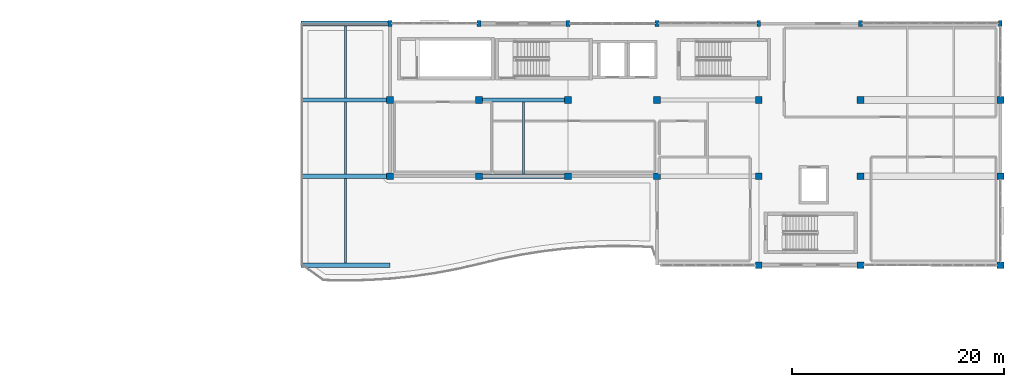
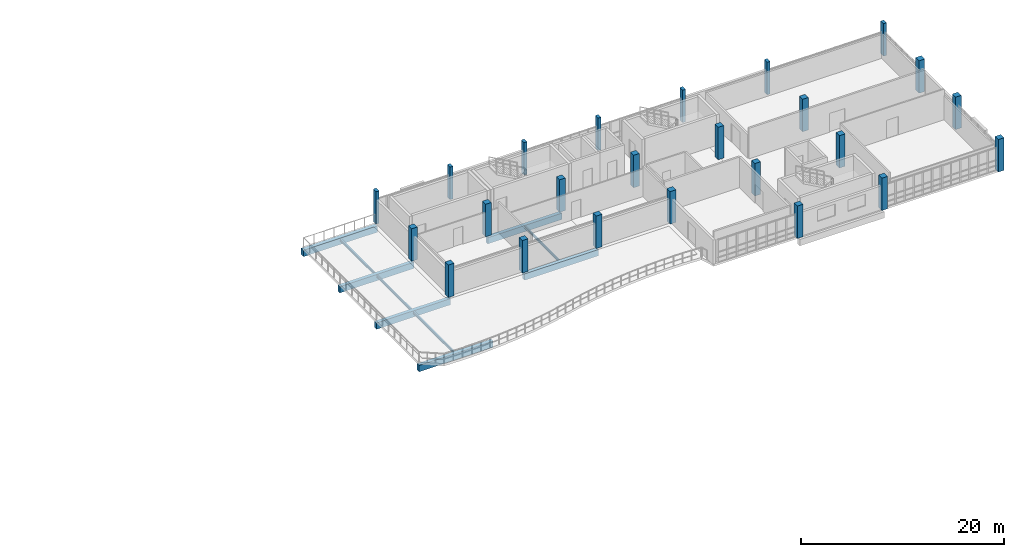
# One storey, part 1 of 25: 24 columns, 10 beams.
"""IFC4 building model written with IfcOpenShell, lengths in metres."""

from ifc_helpers import new_model, si_unit, direction, frame, origin, origin_2d, place, context, subcontext, project, spatial, rectangle, i_section, extrude, material, material_profile, profile_set, type_object, element, save


model = new_model("IFC4")

# Units and contexts
model_context = context("Model", 3, precision=1e-05, world=origin(), true_north=direction((0.0, 1.0)))
body_context = subcontext(model_context, "Body", "Model", "MODEL_VIEW")
ifc_project = project(units=[si_unit("LENGTHUNIT", "METRE"), si_unit("AREAUNIT", "SQUARE_METRE"), si_unit("VOLUMEUNIT", "CUBIC_METRE"), si_unit("PLANEANGLEUNIT", "RADIAN"), si_unit("MASSUNIT", "GRAM", prefix="KILO")], contexts=[model_context])

# Site, building, storey
site_placement = place(None, origin())
site = spatial("IfcSite", under=ifc_project, at=site_placement, CompositionType="ELEMENT")
building_placement = place(site_placement, origin())
building = spatial("IfcBuilding", under=site, at=building_placement, Name="Kisaragi Civic Commons", CompositionType="ELEMENT")
storey_placement = place(building_placement, frame((0.0, 0.0, 13.5)))
storey = spatial("IfcBuildingStorey", under=building, at=storey_placement, Name="L03", CompositionType="ELEMENT", Elevation=13.5)

# Columns
ifc_material_1 = material(Name="Concrete Fc30", Category="concrete")
ifc_material_profile_1 = material_profile(ifc_material_1, rectangle(XDim=0.64990234375, YDim=0.64990234375, at=origin_2d()), Name="RC-650x650", Category="concrete")
ifc_profile_set_1 = profile_set([ifc_material_profile_1], Name="Concrete Fc30")
column_type_1 = type_object("IfcColumnType", Name="C-03", PredefinedType="COLUMN", material=ifc_profile_set_1)
for number, where, z_axis, x_axis, name in (
    (1, (88.800048828125, 104.39990234375, 0.0), (0.0, 0.0, 1.0), (1.0, 0.0, 0.0), "L03 column C-03 (88.8,104.4)"),
    (2, (88.800048828125, 111.60009765625, 0.0), (0.0, 0.0, 1.0), (1.0, 0.0, 0.0), "L03 column C-03 (88.8,111.6)"),
    (3, (97.199951171875, 104.39990234375, 0.0), (0.0, 0.0, 1.0), (1.0, 0.0, 0.0), "L03 column C-03 (97.2,104.4)"),
    (4, (97.199951171875, 111.60009765625, 0.0), (0.0, 0.0, 1.0), (1.0, 0.0, 0.0), "L03 column C-03 (97.2,111.6)"),
    (5, (105.60009765625, 104.39990234375, 0.0), (0.0, 0.0, 1.0), (1.0, 0.0, 0.0), "L03 column C-03 (105.6,104.4)"),
    (6, (105.60009765625, 111.60009765625, 0.0), (0.0, 0.0, 1.0), (1.0, 0.0, 0.0), "L03 column C-03 (105.6,111.6)"),
    (7, (114.0, 104.39990234375, 0.0), (0.0, 0.0, 1.0), (1.0, 0.0, 0.0), "L03 column C-03 (114.0,104.4)"),
    (8, (114.0, 111.60009765625, 0.0), (0.0, 0.0, 1.0), (1.0, 0.0, 0.0), "L03 column C-03 (114.0,111.6)"),
    (9, (123.60009765625, 104.39990234375, 0.0), (0.0, 0.0, 1.0), (1.0, 0.0, 0.0), "L03 column C-03 (123.6,104.4)"),
    (10, (123.60009765625, 111.60009765625, 0.0), (0.0, 0.0, 1.0), (1.0, 0.0, 0.0), "L03 column C-03 (123.6,111.6)"),
    (11, (133.199951171875, 104.39990234375, 0.0), (0.0, 0.0, 1.0), (1.0, 0.0, 0.0), "L03 column C-03 (133.2,104.4)"),
    (12, (133.199951171875, 111.60009765625, 0.0), (0.0, 0.0, 1.0), (1.0, 0.0, 0.0), "L03 column C-03 (133.2,111.6)"),
    (13, (146.39990234375, 104.39990234375, 0.0), (0.0, 0.0, 1.0), (1.0, 0.0, 0.0), "L03 column C-03 (146.4,104.4)"),
    (14, (146.39990234375, 111.60009765625, 0.0), (0.0, 0.0, 1.0), (1.0, 0.0, 0.0), "L03 column C-03 (146.4,111.6)"),
):
    element("IfcColumn", number, at=place(storey_placement, frame(where, z_axis=z_axis, x_axis=x_axis)), inside=storey, type_object=column_type_1, Name=name, PredefinedType="COLUMN", context=body_context, shape_type="SweptSolid", body=[
        extrude(rectangle(XDim=0.64990234375, YDim=0.64990234375, at=origin_2d()), origin(), (0.0, 0.0, 1.0), 3.89990234375),
    ])
ifc_material_profile_2 = material_profile(ifc_material_1, rectangle(XDim=0.64990234375, YDim=0.64990234375, at=origin_2d()), Name="RC-650x650", Category="concrete")
ifc_profile_set_2 = profile_set([ifc_material_profile_2], Name="Concrete Fc30")
column_type_2 = type_object("IfcColumnType", Name="C-07", PredefinedType="COLUMN", material=ifc_profile_set_2)
for number, where, z_axis, x_axis, name in (
    (15, (123.60009765625, 96.0, 0.0), (0.0, 0.0, 1.0), (1.0, 0.0, 0.0), "L03 column C-07 (123.6,96.0)"),
    (16, (133.199951171875, 96.0, 0.0), (0.0, 0.0, 1.0), (1.0, 0.0, 0.0), "L03 column C-07 (133.2,96.0)"),
    (17, (146.39990234375, 96.0, 0.0), (0.0, 0.0, 1.0), (1.0, 0.0, 0.0), "L03 column C-07 (146.4,96.0)"),
):
    element("IfcColumn", number, at=place(storey_placement, frame(where, z_axis=z_axis, x_axis=x_axis)), inside=storey, type_object=column_type_2, Name=name, PredefinedType="COLUMN", context=body_context, shape_type="SweptSolid", body=[
        extrude(rectangle(XDim=0.64990234375, YDim=0.64990234375, at=origin_2d()), origin(), (0.0, 0.0, 1.0), 3.89990234375),
    ])
ifc_material_2 = material(Name="Precast concrete Fc36", Category="concrete")
ifc_material_profile_3 = material_profile(ifc_material_2, rectangle(XDim=0.35009765625, YDim=0.550048828125, at=origin_2d()), Name="RC-350x550", Category="concrete")
ifc_profile_set_3 = profile_set([ifc_material_profile_3], Name="Precast concrete Fc36")
column_type_3 = type_object("IfcColumnType", Name="PL-02", PredefinedType="PILASTER", material=ifc_profile_set_3)
for number, where, z_axis, x_axis, name in (
    (18, (88.800048828125, 118.800048828125, 0.0), (0.0, 0.0, 1.0), (1.0, 0.0, 0.0), "L03 column PL-02 (88.8,118.8)"),
    (19, (97.199951171875, 118.800048828125, 0.0), (0.0, 0.0, 1.0), (1.0, 0.0, 0.0), "L03 column PL-02 (97.2,118.8)"),
    (20, (105.60009765625, 118.800048828125, 0.0), (0.0, 0.0, 1.0), (1.0, 0.0, 0.0), "L03 column PL-02 (105.6,118.8)"),
    (21, (114.0, 118.800048828125, 0.0), (0.0, 0.0, 1.0), (1.0, 0.0, 0.0), "L03 column PL-02 (114.0,118.8)"),
    (22, (123.60009765625, 118.800048828125, 0.0), (0.0, 0.0, 1.0), (1.0, 0.0, 0.0), "L03 column PL-02 (123.6,118.8)"),
    (23, (133.199951171875, 118.800048828125, 0.0), (0.0, 0.0, 1.0), (1.0, 0.0, 0.0), "L03 column PL-02 (133.2,118.8)"),
    (24, (146.39990234375, 118.800048828125, 0.0), (0.0, 0.0, 1.0), (1.0, 0.0, 0.0), "L03 column PL-02 (146.4,118.8)"),
):
    element("IfcColumn", number, at=place(storey_placement, frame(where, z_axis=z_axis, x_axis=x_axis)), inside=storey, type_object=column_type_3, Name=name, PredefinedType="PILASTER", context=body_context, shape_type="SweptSolid", body=[
        extrude(rectangle(XDim=0.35009765625, YDim=0.550048828125, at=origin_2d()), origin(), (0.0, 0.0, 1.0), 3.89990234375),
    ])

# Beams
ifc_material_profile_4 = material_profile(ifc_material_1, rectangle(XDim=0.39990234375, YDim=0.75, at=origin_2d()), Name="RC-400x750", Category="concrete")
ifc_profile_set_4 = profile_set([ifc_material_profile_4], Name="Concrete Fc30")
beam_type_1 = type_object("IfcBeamType", Name="G-04", PredefinedType="BEAM", material=ifc_profile_set_4)
for number, where, z_axis, x_axis, name in (
    (25, (80.39990234375, 96.0, -0.669921875), (1.0, 0.0, 0.0), (0.0, 1.0, 0.0), "L03 girder G-04 322"),
    (26, (80.39990234375, 104.39990234375, -0.669921875), (1.0, 0.0, 0.0), (0.0, 1.0, 0.0), "L03 girder G-04 324"),
    (27, (97.199951171875, 104.39990234375, -0.669921875), (1.0, 0.0, 0.0), (0.0, 1.0, 0.0), "L03 girder G-04 325"),
    (28, (80.39990234375, 111.60009765625, -0.669921875), (1.0, 0.0, 0.0), (0.0, 1.0, 0.0), "L03 girder G-04 328"),
    (29, (97.199951171875, 111.60009765625, -0.669921875), (1.0, 0.0, 0.0), (0.0, 1.0, 0.0), "L03 girder G-04 329"),
):
    element("IfcBeam", number, at=place(storey_placement, frame(where, z_axis=z_axis, x_axis=x_axis)), inside=storey, type_object=beam_type_1, Name=name, PredefinedType="BEAM", context=body_context, shape_type="SweptSolid", body=[
        extrude(rectangle(XDim=0.39990234375, YDim=0.75, at=origin_2d()), origin(), (0.0, 0.0, 1.0), 8.400146484375),
    ])
ifc_material_3 = material(Name="Steel SN400 (SN400B)", Category="steel")
ifc_material_profile_5 = material_profile(ifc_material_3, i_section(OverallWidth=0.14990234375, OverallDepth=0.300048828125, WebThickness=0.006591796875, FlangeThickness=0.009033203125, FilletRadius=0.012939453125, at=origin_2d()), Name="H-300x150x6.5x9", Category="steel")
ifc_profile_set_5 = profile_set([ifc_material_profile_5], Name="Steel SN400 (SN400B)")
beam_type_2 = type_object("IfcBeamType", Name="J-03", PredefinedType="JOIST", material=ifc_profile_set_5)
beam_1_placement = place(storey_placement, frame((84.60009765625, 96.199951171875, -0.445068359375), z_axis=(0.0, 1.0, 0.0), x_axis=(-1.0, 0.0, 0.0)))
element("IfcBeam", 30, at=beam_1_placement, inside=storey, type_object=beam_type_2, Name="L03 secondary steel joist J-03 71", PredefinedType="JOIST", context=body_context, shape_type="SweptSolid", body=[
    extrude(i_section(OverallWidth=0.14990234375, OverallDepth=0.300048828125, WebThickness=0.006591796875, FlangeThickness=0.009033203125, FilletRadius=0.012939453125, at=origin_2d()), origin(), (0.0, 0.0, 1.0), 8.0),
])
beam_2_placement = place(storey_placement, frame((84.60009765625, 104.60009765625, -0.445068359375), z_axis=(0.0, 1.0, 0.0), x_axis=(-1.0, 0.0, 0.0)))
element("IfcBeam", 31, at=beam_2_placement, inside=storey, type_object=beam_type_2, Name="L03 secondary steel joist J-03 72", PredefinedType="JOIST", context=body_context, shape_type="SweptSolid", body=[
    extrude(i_section(OverallWidth=0.14990234375, OverallDepth=0.300048828125, WebThickness=0.006591796875, FlangeThickness=0.009033203125, FilletRadius=0.012939453125, at=origin_2d()), origin(), (0.0, 0.0, 1.0), 6.7998046875),
])
beam_3_placement = place(storey_placement, frame((84.60009765625, 111.800048828125, -0.445068359375), z_axis=(0.0, 1.0, 0.0), x_axis=(-1.0, 0.0, 0.0)))
element("IfcBeam", 32, at=beam_3_placement, inside=storey, type_object=beam_type_2, Name="L03 secondary steel joist J-03 73", PredefinedType="JOIST", context=body_context, shape_type="SweptSolid", body=[
    extrude(i_section(OverallWidth=0.14990234375, OverallDepth=0.300048828125, WebThickness=0.006591796875, FlangeThickness=0.009033203125, FilletRadius=0.012939453125, at=origin_2d()), origin(), (0.0, 0.0, 1.0), 6.77490234375),
])
beam_4_placement = place(storey_placement, frame((101.39990234375, 104.60009765625, -0.445068359375), z_axis=(0.0, 1.0, 0.0), x_axis=(-1.0, 0.0, 0.0)))
element("IfcBeam", 33, at=beam_4_placement, inside=storey, type_object=beam_type_2, Name="L03 secondary steel joist J-03 74", PredefinedType="JOIST", context=body_context, shape_type="SweptSolid", body=[
    extrude(i_section(OverallWidth=0.14990234375, OverallDepth=0.300048828125, WebThickness=0.006591796875, FlangeThickness=0.009033203125, FilletRadius=0.012939453125, at=origin_2d()), origin(), (0.0, 0.0, 1.0), 6.7998046875),
])
ifc_material_profile_6 = material_profile(ifc_material_1, rectangle(XDim=0.449951171875, YDim=0.75, at=origin_2d()), Name="RC-450x750", Category="concrete")
ifc_profile_set_6 = profile_set([ifc_material_profile_6], Name="Concrete Fc30")
beam_type_3 = type_object("IfcBeamType", Name="SPB-04", PredefinedType="SPANDREL", material=ifc_profile_set_6)
beam_5_placement = place(storey_placement, frame((80.39990234375, 118.800048828125, -0.669921875), z_axis=(1.0, 0.0, 0.0), x_axis=(0.0, 1.0, 0.0)))
element("IfcBeam", 34, at=beam_5_placement, inside=storey, type_object=beam_type_3, Name="L03 girder SPB-04 332", PredefinedType="SPANDREL", context=body_context, shape_type="SweptSolid", body=[
    extrude(rectangle(XDim=0.449951171875, YDim=0.75, at=origin_2d()), origin(), (0.0, 0.0, 1.0), 8.400146484375),
])

save(model, "model.ifc")
